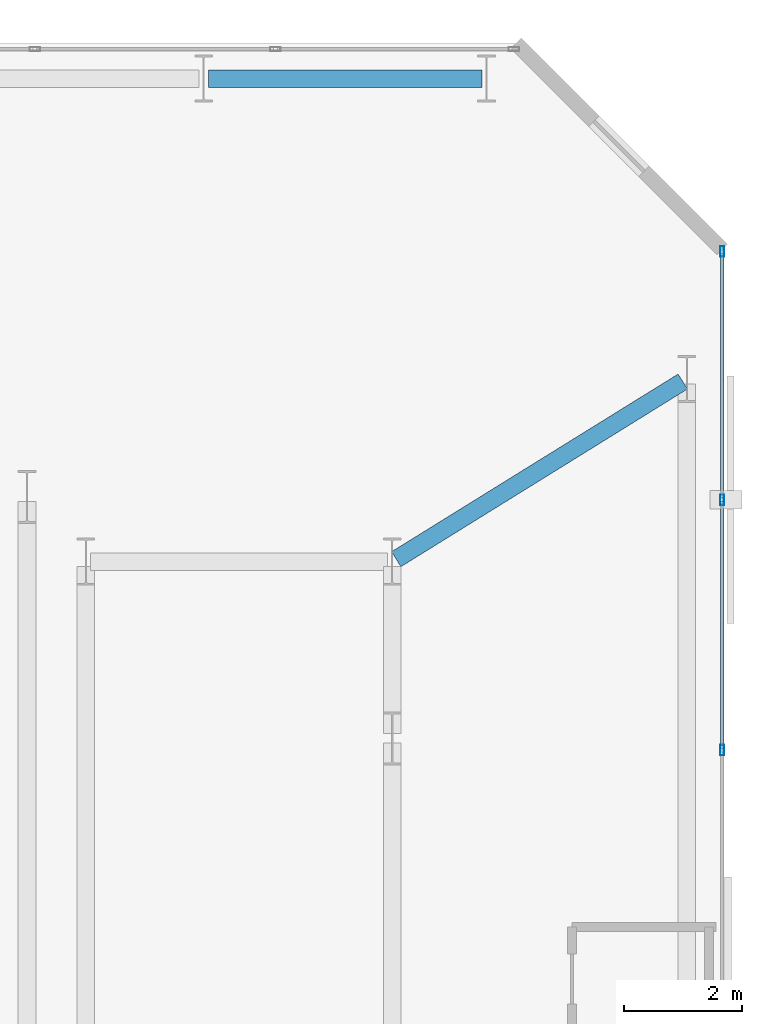
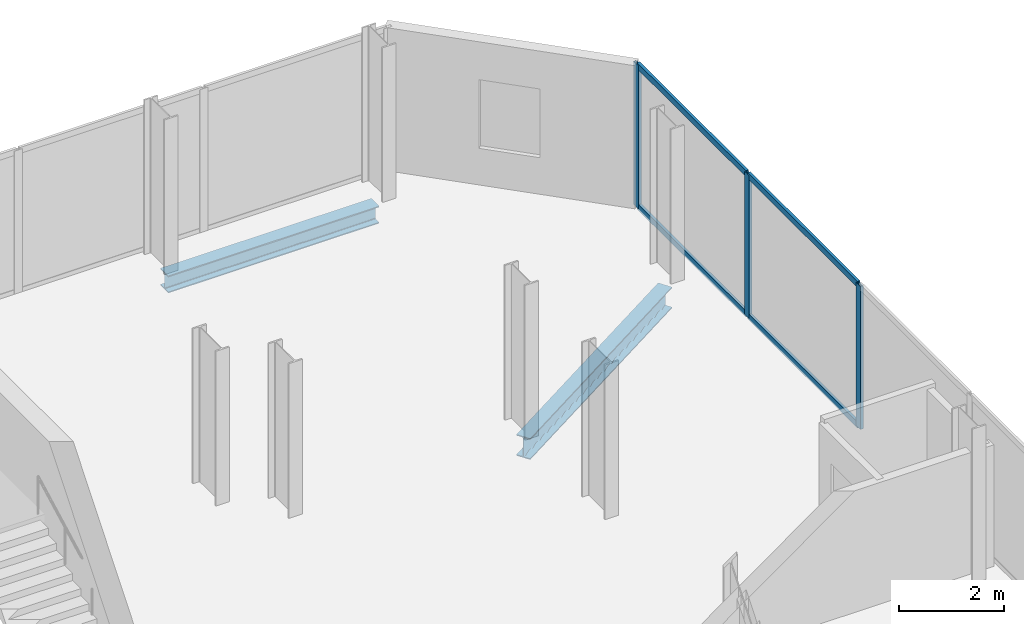
# One storey, part 24 of 32: 7 members, 2 beams, 1 element without a shape of its own.
"""IFC4 building model written with IfcOpenShell, lengths in metres."""

from ifc_helpers import new_model, si_unit, direction, frame, origin, origin_2d, place, context, subcontext, project, spatial, hollow_rectangle, i_section, extrude, material, layer, layer_set, material_profile, profile_set, type_object, element, aggregate, save


model = new_model("IFC4")

# Units and contexts
model_context = context("Model", 3, precision=1e-05, world=origin(), true_north=direction((0.0, 1.0)))
body_context = subcontext(model_context, "Body", "Model", "MODEL_VIEW")
ifc_project = project(units=[si_unit("LENGTHUNIT", "METRE"), si_unit("AREAUNIT", "SQUARE_METRE"), si_unit("VOLUMEUNIT", "CUBIC_METRE"), si_unit("PLANEANGLEUNIT", "RADIAN"), si_unit("MASSUNIT", "GRAM", prefix="KILO")], contexts=[model_context])

# Site, building, storey
site_placement = place(None, origin())
site = spatial("IfcSite", under=ifc_project, at=site_placement, CompositionType="ELEMENT")
building_placement = place(site_placement, origin())
building = spatial("IfcBuilding", under=site, at=building_placement, Name="Catumbela Crestline Tower", CompositionType="ELEMENT")
storey_placement = place(building_placement, frame((0.0, 0.0, 69.0)))
storey = spatial("IfcBuildingStorey", under=building, at=storey_placement, Name="L17", CompositionType="ELEMENT", Elevation=69.0)

# Beam
ifc_material_1 = material(Name="Structural steel S355J2", Category="steel")
ifc_material_profile_1 = material_profile(ifc_material_1, i_section(OverallWidth=0.3, OverallDepth=0.49, WebThickness=0.012, FlangeThickness=0.023, FilletRadius=0.027, at=origin_2d()), Name="HEA 500")
ifc_profile_set_1 = profile_set([ifc_material_profile_1], Name="Structural steel S355J2")
beam_type_1 = type_object("IfcBeamType", Name="BG-HEA500", PredefinedType="BEAM", material=ifc_profile_set_1)
beam_1_placement = place(storey_placement, frame((50.468, 39.2422, -0.505), z_axis=(0.849908952007, 0.526929571479, 0.0), x_axis=(-0.526929571479, 0.849908952007, 0.0)))
element("IfcBeam", 1, at=beam_1_placement, inside=storey, type_object=beam_type_1, Name="L17 Beam BM-L17-N18", PredefinedType="BEAM", context=body_context, shape_type="SweptSolid", body=[
    extrude(i_section(OverallWidth=0.3, OverallDepth=0.49, WebThickness=0.012, FlangeThickness=0.023, FilletRadius=0.027, at=origin_2d()), origin(), (0.0, 0.0, 1.0), 5.723),
])

# Curtain wall, members
ifc_material_2 = material(Name="Aluminium alloy AW-6060-T66", Category="aluminium")
ifc_layer = layer(ifc_material_2, 0.18, Name="Aluminium alloy AW-6060-T66")
ifc_layer_set = layer_set([ifc_layer], Name="Aluminium alloy AW-6060-T66")
curtain_wall_type = type_object("IfcCurtainWallType", Name="CWU-Z1", PredefinedType="USERDEFINED", material=ifc_layer_set)
curtain_wall_placement = place(storey_placement, origin())
curtain_wall = element("IfcCurtainWall", 2, at=curtain_wall_placement, inside=storey, type_object=curtain_wall_type, Name="L17 Unitised Curtain Wall CW-L17-E5S1", ObjectType="UNITISED", PredefinedType="USERDEFINED")
ifc_material_profile_2 = material_profile(ifc_material_2, hollow_rectangle(XDim=0.065, YDim=0.18, WallThickness=0.004, at=origin_2d()), Name="ALU 180x65x4")
ifc_profile_set_2 = profile_set([ifc_material_profile_2], Name="Aluminium alloy AW-6060-T66")
member_type_1 = type_object("IfcMemberType", Name="MUL-180X65", PredefinedType="MULLION", material=ifc_profile_set_2)
member_1_placement = place(storey_placement, frame((56.0, 36.0, 0.0), z_axis=(0.0, 0.0, 1.0), x_axis=(-1.0, 0.0, 0.0)))
member_1 = element("IfcMember", 3, at=member_1_placement, type_object=member_type_1, Name="CWU-Z1 mullion 3", PredefinedType="MULLION", context=body_context, shape_type="SweptSolid", body=[
    extrude(hollow_rectangle(XDim=0.065, YDim=0.18, WallThickness=0.004, at=origin_2d()), origin(), (0.0, 0.0, 1.0), 3.33),
])
member_2_placement = place(storey_placement, frame((56.0, 40.25, 0.0), z_axis=(0.0, 0.0, 1.0), x_axis=(-1.0, 0.0, 0.0)))
member_2 = element("IfcMember", 4, at=member_2_placement, type_object=member_type_1, Name="CWU-Z1 mullion 4", PredefinedType="MULLION", context=body_context, shape_type="SweptSolid", body=[
    extrude(hollow_rectangle(XDim=0.065, YDim=0.18, WallThickness=0.004, at=origin_2d()), origin(), (0.0, 0.0, 1.0), 3.33),
])
member_3_placement = place(storey_placement, frame((56.0, 44.4675, 0.0), z_axis=(0.0, 0.0, 1.0), x_axis=(-1.0, 0.0, 0.0)))
member_3 = element("IfcMember", 5, at=member_3_placement, type_object=member_type_1, Name="CWU-Z1 mullion 5", PredefinedType="MULLION", context=body_context, shape_type="SweptSolid", body=[
    extrude(hollow_rectangle(XDim=0.065, YDim=0.18, WallThickness=0.004, at=origin_2d()), origin(), (0.0, 0.0, 1.0), 3.33),
])

# Beam
ifc_material_profile_3 = material_profile(ifc_material_1, i_section(OverallWidth=0.3, OverallDepth=0.4, WebThickness=0.0135, FlangeThickness=0.024, FilletRadius=0.027, at=origin_2d()), Name="HEB 400")
ifc_profile_set_3 = profile_set([ifc_material_profile_3], Name="Structural steel S355J2")
beam_type_2 = type_object("IfcBeamType", Name="BS-HEB400", PredefinedType="SPANDREL", material=ifc_profile_set_3)
beam_2_placement = place(storey_placement, frame((47.28, 47.4, -0.46), z_axis=(1.0, 0.0, 0.0), x_axis=(0.0, 1.0, 0.0)))
element("IfcBeam", 6, at=beam_2_placement, inside=storey, type_object=beam_type_2, Name="L17 Spandrel SP-L17-NF24", PredefinedType="SPANDREL", context=body_context, shape_type="SweptSolid", body=[
    extrude(i_section(OverallWidth=0.3, OverallDepth=0.4, WebThickness=0.0135, FlangeThickness=0.024, FilletRadius=0.027, at=origin_2d()), origin(), (0.0, 0.0, 1.0), 4.64),
])

# Member
ifc_material_profile_4 = material_profile(ifc_material_2, hollow_rectangle(XDim=0.06, YDim=0.14, WallThickness=0.004, at=origin_2d()), Name="ALU 140x60x4")
ifc_profile_set_4 = profile_set([ifc_material_profile_4], Name="Aluminium alloy AW-6060-T66")
member_type_2 = type_object("IfcMemberType", Name="TRN-140X60", PredefinedType="USERDEFINED", material=ifc_profile_set_4)
member_4_placement = place(storey_placement, frame((56.0, 36.0325, 0.03), z_axis=(0.0, 1.0, 0.0), x_axis=(-1.0, 0.0, 0.0)))
member_4 = element("IfcMember", 7, at=member_4_placement, type_object=member_type_2, Name="CWU-Z1 transom 3.1", ObjectType="TRANSOM", PredefinedType="USERDEFINED", context=body_context, shape_type="SweptSolid", body=[
    extrude(hollow_rectangle(XDim=0.06, YDim=0.14, WallThickness=0.004, at=origin_2d()), origin(), (0.0, 0.0, 1.0), 4.185),
])

member_5_placement = place(storey_placement, frame((56.0, 36.0325, 3.3), z_axis=(0.0, 1.0, 0.0), x_axis=(-1.0, 0.0, 0.0)))
member_5 = element("IfcMember", 8, at=member_5_placement, type_object=member_type_2, Name="CWU-Z1 transom 3.2", ObjectType="TRANSOM", PredefinedType="USERDEFINED", context=body_context, shape_type="SweptSolid", body=[
    extrude(hollow_rectangle(XDim=0.06, YDim=0.14, WallThickness=0.004, at=origin_2d()), origin(), (0.0, 0.0, 1.0), 4.185),
])

member_6_placement = place(storey_placement, frame((56.0, 40.2825, 0.03), z_axis=(0.0, 1.0, 0.0), x_axis=(-1.0, 0.0, 0.0)))
member_6 = element("IfcMember", 9, at=member_6_placement, type_object=member_type_2, Name="CWU-Z1 transom 4.1", ObjectType="TRANSOM", PredefinedType="USERDEFINED", context=body_context, shape_type="SweptSolid", body=[
    extrude(hollow_rectangle(XDim=0.06, YDim=0.14, WallThickness=0.004, at=origin_2d()), origin(), (0.0, 0.0, 1.0), 4.1525),
])

member_7_placement = place(storey_placement, frame((56.0, 40.2825, 3.3), z_axis=(0.0, 1.0, 0.0), x_axis=(-1.0, 0.0, 0.0)))
member_7 = element("IfcMember", 10, at=member_7_placement, type_object=member_type_2, Name="CWU-Z1 transom 4.2", ObjectType="TRANSOM", PredefinedType="USERDEFINED", context=body_context, shape_type="SweptSolid", body=[
    extrude(hollow_rectangle(XDim=0.06, YDim=0.14, WallThickness=0.004, at=origin_2d()), origin(), (0.0, 0.0, 1.0), 4.1525),
])

aggregate(curtain_wall, [member_1, member_2, member_3, member_4, member_5, member_6, member_7])

save(model, "model.ifc")
